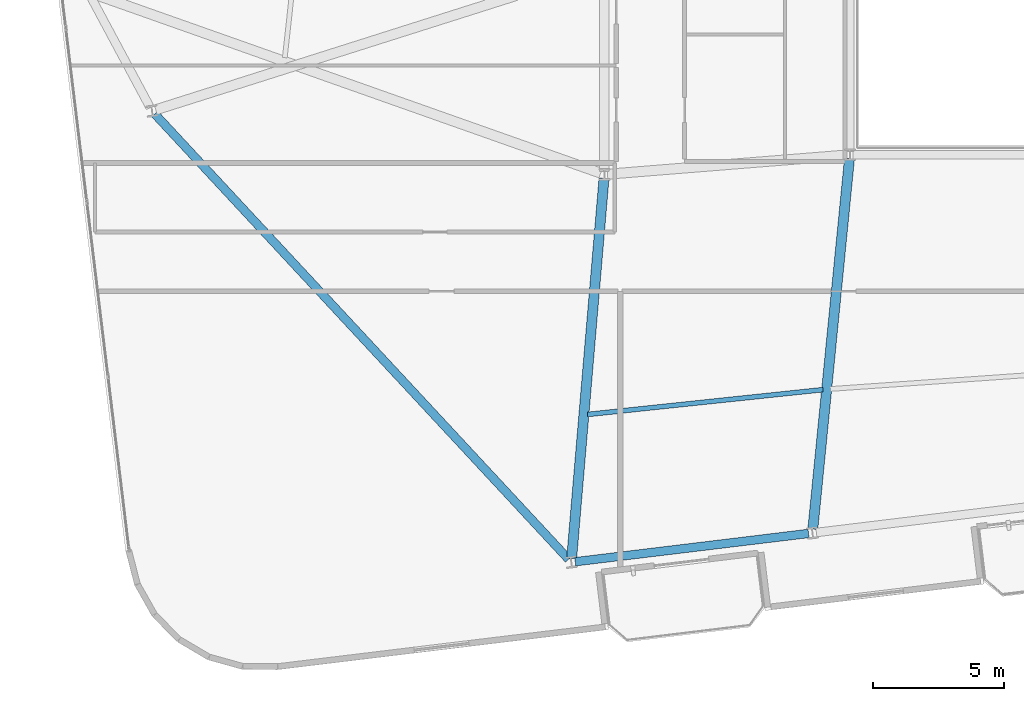
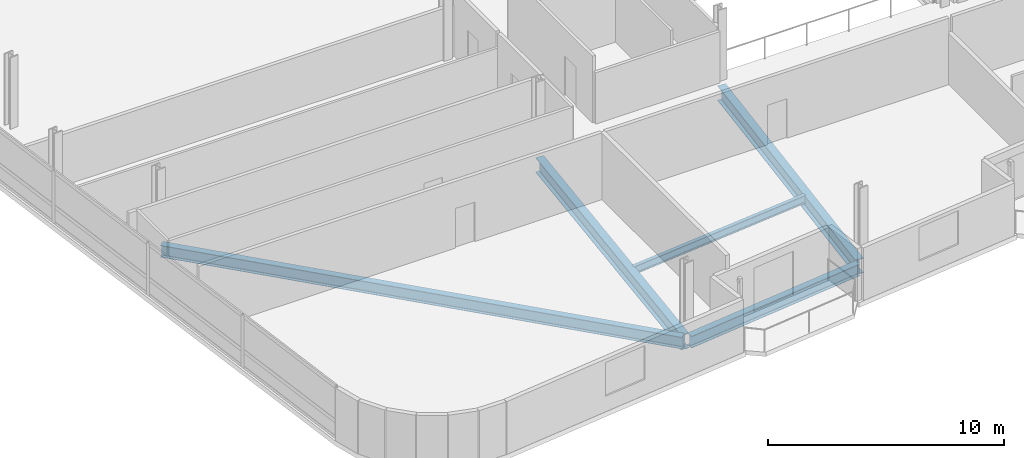
# One storey, part 3 of 22: 5 beams.
"""IFC4 building model written with IfcOpenShell, lengths in metres."""

from ifc_helpers import new_model, si_unit, direction, frame, origin, origin_2d, place, context, subcontext, project, spatial, i_section, extrude, material, material_profile, profile_set, type_object, element, save


model = new_model("IFC4")

# Units and contexts
model_context = context("Model", 3, precision=1e-05, world=origin(), true_north=direction((0.0, 1.0)))
body_context = subcontext(model_context, "Body", "Model", "MODEL_VIEW")
ifc_project = project(units=[si_unit("LENGTHUNIT", "METRE"), si_unit("AREAUNIT", "SQUARE_METRE"), si_unit("VOLUMEUNIT", "CUBIC_METRE"), si_unit("PLANEANGLEUNIT", "RADIAN"), si_unit("MASSUNIT", "GRAM", prefix="KILO")], contexts=[model_context])

# Site, building, storey
site_placement = place(None, origin())
site = spatial("IfcSite", under=ifc_project, at=site_placement, CompositionType="ELEMENT")
building_placement = place(site_placement, origin())
building = spatial("IfcBuilding", under=site, at=building_placement, Name="Varnelok Gate Tower", CompositionType="ELEMENT")
storey_placement = place(building_placement, frame((0.0, 0.0, 185.699951171875)))
storey = spatial("IfcBuildingStorey", under=building, at=storey_placement, Name="L47", CompositionType="ELEMENT", Elevation=185.699951171875)

# Beams
ifc_material = material(Name="Structural Steel ASTM A992 Grade 50", Category="steel")
ifc_material_profile_1 = material_profile(ifc_material, i_section(OverallWidth=0.180908203125, OverallDepth=0.4169921875, WebThickness=0.010986328125, FlangeThickness=0.018310546875, FilletRadius=0.013916015625, at=origin_2d()), Name="W16X57")
ifc_profile_set_1 = profile_set([ifc_material_profile_1], Name="Structural Steel ASTM A992 Grade 50")
beam_type_1 = type_object("IfcBeamType", Name="BM-JST-W16X57", PredefinedType="JOIST", material=ifc_profile_set_1)
beam_1_placement = place(storey_placement, frame((23.759765625, 9.6591796875, -0.45849609375), z_axis=(0.994484366942, 0.104884907915, 0.0), x_axis=(-0.104884907915, 0.994484366942, 0.0)))
element("IfcBeam", 1, at=beam_1_placement, inside=storey, type_object=beam_type_1, Name="L47 Sector Floor Joist 1", PredefinedType="JOIST", context=body_context, shape_type="SweptSolid", body=[
    extrude(i_section(OverallWidth=0.180908203125, OverallDepth=0.4169921875, WebThickness=0.010986328125, FlangeThickness=0.018310546875, FilletRadius=0.013916015625, at=origin_2d()), origin(), (0.0, 0.0, 1.0), 9.017578125),
])
ifc_material_profile_2 = material_profile(ifc_material, i_section(OverallWidth=0.381103515625, OverallDepth=0.77294921875, WebThickness=0.0166015625, FlangeThickness=0.027099609375, FilletRadius=0.02197265625, at=origin_2d()), Name="W30X173")
ifc_profile_set_2 = profile_set([ifc_material_profile_2], Name="Structural Steel ASTM A992 Grade 50")
beam_type_2 = type_object("IfcBeamType", Name="BM-PRI-W30X173", PredefinedType="BEAM", material=ifc_profile_set_2)
beam_2_placement = place(storey_placement, frame((24.38720703125, 18.650390625, -0.636474609375), z_axis=(-0.08482646823, -0.996395739798, 0.0), x_axis=(0.996395739798, -0.08482646823, 0.0)))
element("IfcBeam", 2, at=beam_2_placement, inside=storey, type_object=beam_type_2, Name="L47 Radial Floor Girder 1", PredefinedType="BEAM", context=body_context, shape_type="SweptSolid", body=[
    extrude(i_section(OverallWidth=0.381103515625, OverallDepth=0.77294921875, WebThickness=0.0166015625, FlangeThickness=0.027099609375, FilletRadius=0.02197265625, at=origin_2d()), origin(), (0.0, 0.0, 1.0), 14.52001953125),
])
beam_3_placement = place(storey_placement, frame((33.735107421875, 19.400634765625, -0.636474609375), z_axis=(-0.098420734253, -0.995144893505, 0.0), x_axis=(0.995144893505, -0.098420734253, 0.0)))
element("IfcBeam", 3, at=beam_3_placement, inside=storey, type_object=beam_type_2, Name="L47 Radial Floor Girder 2", PredefinedType="BEAM", context=body_context, shape_type="SweptSolid", body=[
    extrude(i_section(OverallWidth=0.381103515625, OverallDepth=0.77294921875, WebThickness=0.0166015625, FlangeThickness=0.027099609375, FilletRadius=0.02197265625, at=origin_2d()), origin(), (0.0, 0.0, 1.0), 14.174072265625),
])
ifc_material_profile_3 = material_profile(ifc_material, i_section(OverallWidth=0.323974609375, OverallDepth=0.611083984375, WebThickness=0.0126953125, FlangeThickness=0.01904296875, FilletRadius=0.01806640625, at=origin_2d()), Name="W24X104")
ifc_profile_set_3 = profile_set([ifc_material_profile_3], Name="Structural Steel ASTM A992 Grade 50")
beam_type_3 = type_object("IfcBeamType", Name="BM-SPN-W24X104", PredefinedType="SPANDREL", material=ifc_profile_set_3)
beam_4_placement = place(storey_placement, frame((23.29150390625, 4.051025390625, -0.555419921875), z_axis=(0.99273141198, 0.120350918849, 0.0), x_axis=(-0.120350918849, 0.99273141198, 0.0)))
element("IfcBeam", 4, at=beam_4_placement, inside=storey, type_object=beam_type_3, Name="L47 Perimeter Spandrel Beam 1", PredefinedType="SPANDREL", context=body_context, shape_type="SweptSolid", body=[
    extrude(i_section(OverallWidth=0.323974609375, OverallDepth=0.611083984375, WebThickness=0.0126953125, FlangeThickness=0.01904296875, FilletRadius=0.01806640625, at=origin_2d()), origin(), (0.0, 0.0, 1.0), 8.949951171875),
])
beam_5_placement = place(storey_placement, frame((7.27685546875, 21.106201171875, -0.555419921875), z_axis=(0.680728456616, -0.732535847828, 0.0), x_axis=(0.732535847828, 0.680728456616, 0.0)))
element("IfcBeam", 5, at=beam_5_placement, inside=storey, type_object=beam_type_3, Name="L47 Perimeter Spandrel Beam 16", PredefinedType="SPANDREL", context=body_context, shape_type="SweptSolid", body=[
    extrude(i_section(OverallWidth=0.323974609375, OverallDepth=0.611083984375, WebThickness=0.0126953125, FlangeThickness=0.01904296875, FilletRadius=0.01806640625, at=origin_2d()), origin(), (0.0, 0.0, 1.0), 23.156982421875),
])

save(model, "model.ifc")
